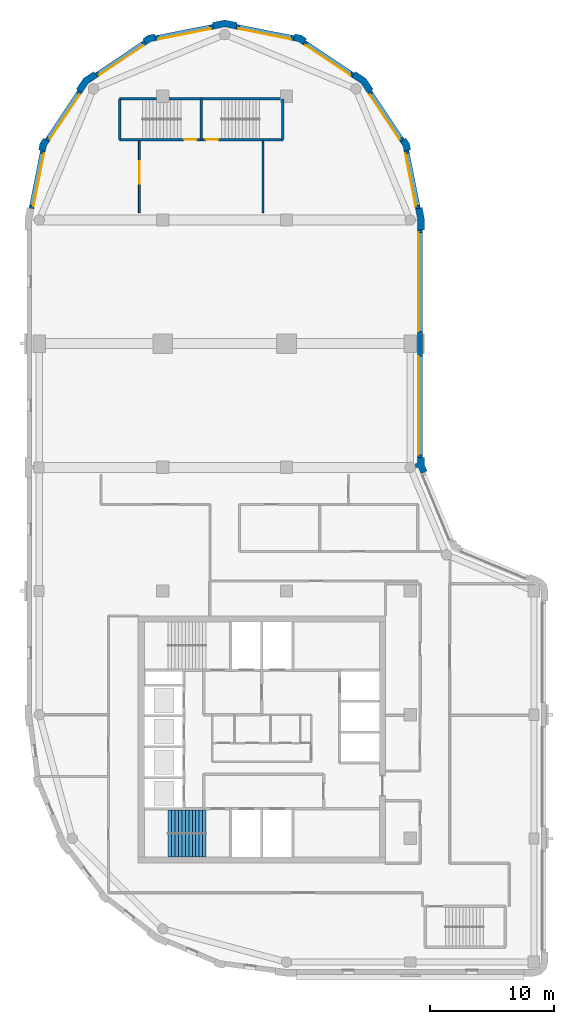
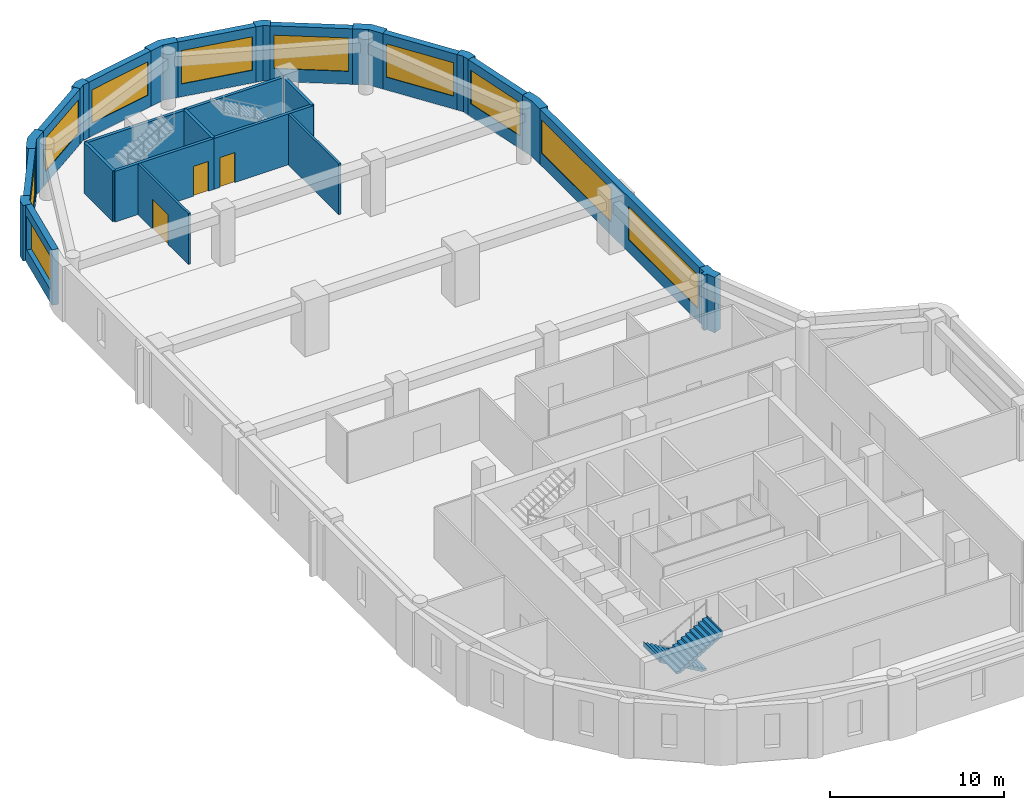
# One storey, part 5 of 8: 27 walls, 10 windows, 3 doors, 2 stair flights, 13 openings, 1 element without a shape of its own.
"""IFC4 building model written with IfcOpenShell, lengths in metres."""

from ifc_helpers import new_model, si_unit, direction, frame, frame_2d, origin, place, context, subcontext, project, spatial, polyline, rectangle, outline, extrude, material, layer, layer_set, type_object, element, fill, aggregate, save


model = new_model("IFC4")

# Units and contexts
model_context = context("Model", 3, precision=1e-05, world=origin(), true_north=direction((0.0, 1.0)))
body_context = subcontext(model_context, "Body", "Model", "MODEL_VIEW")
ifc_project = project(units=[si_unit("LENGTHUNIT", "METRE"), si_unit("AREAUNIT", "SQUARE_METRE"), si_unit("VOLUMEUNIT", "CUBIC_METRE"), si_unit("PLANEANGLEUNIT", "RADIAN"), si_unit("MASSUNIT", "GRAM", prefix="KILO")], contexts=[model_context])

# Site, building, storey
site_placement = place(None, origin())
site = spatial("IfcSite", under=ifc_project, at=site_placement, CompositionType="ELEMENT")
building_placement = place(site_placement, origin())
building = spatial("IfcBuilding", under=site, at=building_placement, Name="Qaws Garden Tower", CompositionType="ELEMENT")
storey_placement = place(building_placement, frame((0.0, 0.0, 313.800048828125)))
storey = spatial("IfcBuildingStorey", under=building, at=storey_placement, Name="L76", CompositionType="ELEMENT", Elevation=313.800048828125)

# Wall, openings, windows
ifc_material_1 = material(Name="Clay facing brick masonry", Category="masonry")
ifc_layer_1 = layer(ifc_material_1, 0.39990234375)
ifc_layer_set_1 = layer_set([ifc_layer_1], Name="Clay facing brick masonry")
wall_type_1 = type_object("IfcWallType", Name="Brick infill wall 400", PredefinedType="SOLIDWALL", material=ifc_layer_set_1)
wall_1_placement = place(storey_placement, frame((30.800048828125, 40.800048828125, 0.0), z_axis=(0.0, 0.0, 1.0), x_axis=(0.0, 1.0, 0.0)))
wall_1 = element("IfcWall", 1, at=wall_1_placement, inside=storey, type_object=wall_type_1, Name="E-L76-infill-07", PredefinedType="SOLIDWALL", context=body_context, shape_type="SweptSolid", body=[
    extrude(rectangle(XDim=18.39990234375, YDim=0.39990234375, at=frame_2d((9.199951171875, 0.0))), origin(), (0.0, 0.0, 1.0), 3.89990234375),
])
opening_1_placement = place(wall_1_placement, frame((0.199951171875, 0.0, 0.89990234375)))
opening_1 = element("IfcOpeningElement", 2, at=opening_1_placement, cuts=wall_1, Name="Opening W01", PredefinedType="OPENING", context=body_context, shape_type="SweptSolid", body=[
    extrude(rectangle(XDim=8.0, YDim=2.35009765625, at=frame_2d((4.0, 1.175048828125))), frame((0.0, 0.2099609375, 0.0), z_axis=(0.0, -1.0, 0.0), x_axis=(1.0, 0.0, 0.0)), (0.0, 0.0, 1.0), 0.419921875),
])
opening_2_placement = place(wall_1_placement, frame((10.199951171875, 0.0, 0.89990234375)))
opening_2 = element("IfcOpeningElement", 3, at=opening_2_placement, cuts=wall_1, Name="Opening W01", PredefinedType="OPENING", context=body_context, shape_type="SweptSolid", body=[
    extrude(rectangle(XDim=8.0, YDim=2.35009765625, at=frame_2d((4.0, 1.175048828125))), frame((0.0, 0.2099609375, 0.0), z_axis=(0.0, -1.0, 0.0), x_axis=(1.0, 0.0, 0.0)), (0.0, 0.0, 1.0), 0.419921875),
])
ifc_material_2 = material(Name="Aluminium framed window, clear glazing", Category="aluminium")
window_type_1 = type_object("IfcWindowType", Name="Ribbon window 8000 x 2350", PartitioningType="DOUBLE_PANEL_VERTICAL", PredefinedType="WINDOW", material=ifc_material_2)
window_1_placement = place(opening_1_placement, origin())
window_1 = element("IfcWindow", 4, at=window_1_placement, inside=storey, type_object=window_type_1, Name="E-L76-window-07-0", OverallHeight=2.35009765625, OverallWidth=8.0, PartitioningType="SINGLE_PANEL", PredefinedType="WINDOW", context=body_context, shape_type="SweptSolid", body=[
    extrude(rectangle(XDim=8.0, YDim=2.35009765625, at=frame_2d((4.0, 1.175048828125))), frame((0.0, 0.159912109375, 0.0), z_axis=(0.0, -1.0, 0.0), x_axis=(1.0, 0.0, 0.0)), (0.0, 0.0, 1.0), 0.06005859375),
])
fill(opening_1, window_1)
window_2_placement = place(opening_2_placement, origin())
window_2 = element("IfcWindow", 5, at=window_2_placement, inside=storey, type_object=window_type_1, Name="E-L76-window-08-0", OverallHeight=2.35009765625, OverallWidth=8.0, PartitioningType="SINGLE_PANEL", PredefinedType="WINDOW", context=body_context, shape_type="SweptSolid", body=[
    extrude(rectangle(XDim=8.0, YDim=2.35009765625, at=frame_2d((4.0, 1.175048828125))), frame((0.0, 0.159912109375, 0.0), z_axis=(0.0, -1.0, 0.0), x_axis=(1.0, 0.0, 0.0)), (0.0, 0.0, 1.0), 0.06005859375),
])
fill(opening_2, window_2)

# Wall, opening, window
wall_2_placement = place(storey_placement, frame((30.628662109375, 60.940673828125, 0.0), z_axis=(0.0, 0.0, 1.0), x_axis=(-0.195098533057, 0.98078364709, 0.0)))
wall_2 = element("IfcWall", 6, at=wall_2_placement, inside=storey, type_object=wall_type_1, Name="E-L76-infill-09", PredefinedType="SOLIDWALL", context=body_context, shape_type="SweptSolid", body=[
    extrude(rectangle(XDim=4.752685546875, YDim=0.39990234375, at=frame_2d((2.37646484375, 0.0))), origin(), (0.0, 0.0, 1.0), 3.89990234375),
])
opening_3_placement = place(wall_2_placement, frame((0.226318359375, 0.0, 0.89990234375)))
opening_3 = element("IfcOpeningElement", 7, at=opening_3_placement, cuts=wall_2, Name="Opening W06", PredefinedType="OPENING", context=body_context, shape_type="SweptSolid", body=[
    extrude(rectangle(XDim=4.300048828125, YDim=2.35009765625, at=frame_2d((2.14990234375, 1.175048828125))), frame((0.0, 0.2099609375, 0.0), z_axis=(0.0, -1.0, 0.0), x_axis=(1.0, 0.0, 0.0)), (0.0, 0.0, 1.0), 0.419921875),
])
ifc_material_3 = material(Name="Aluminium framed window, clear glazing", Category="aluminium")
window_type_2 = type_object("IfcWindowType", Name="Ribbon window 4300 x 2350", PartitioningType="DOUBLE_PANEL_VERTICAL", PredefinedType="WINDOW", material=ifc_material_3)
window_3_placement = place(opening_3_placement, origin())
window_3 = element("IfcWindow", 8, at=window_3_placement, inside=storey, type_object=window_type_2, Name="E-L76-window-09-0", OverallHeight=2.35009765625, OverallWidth=4.300048828125, PartitioningType="SINGLE_PANEL", PredefinedType="WINDOW", context=body_context, shape_type="SweptSolid", body=[
    extrude(rectangle(XDim=4.300048828125, YDim=2.35009765625, at=frame_2d((2.14990234375, 1.175048828125))), frame((0.0, 0.159912109375, 0.0), z_axis=(0.0, -1.0, 0.0), x_axis=(1.0, 0.0, 0.0)), (0.0, 0.0, 1.0), 0.06005859375),
])
fill(opening_3, window_3)

wall_3_placement = place(storey_placement, frame((29.356689453125, 66.43408203125, 0.0), z_axis=(0.0, 0.0, 1.0), x_axis=(-0.555541552266, 0.831488775454, 0.0)))
wall_3 = element("IfcWall", 9, at=wall_3_placement, inside=storey, type_object=wall_type_1, Name="E-L76-infill-10", PredefinedType="SOLIDWALL", context=body_context, shape_type="SweptSolid", body=[
    extrude(rectangle(XDim=4.752685546875, YDim=0.39990234375, at=frame_2d((2.37646484375, 0.0))), origin(), (0.0, 0.0, 1.0), 3.89990234375),
])
opening_4_placement = place(wall_3_placement, frame((0.226318359375, 0.0, 0.89990234375)))
opening_4 = element("IfcOpeningElement", 10, at=opening_4_placement, cuts=wall_3, Name="Opening W06", PredefinedType="OPENING", context=body_context, shape_type="SweptSolid", body=[
    extrude(rectangle(XDim=4.300048828125, YDim=2.35009765625, at=frame_2d((2.14990234375, 1.175048828125))), frame((0.0, 0.2099609375, 0.0), z_axis=(0.0, -1.0, 0.0), x_axis=(1.0, 0.0, 0.0)), (0.0, 0.0, 1.0), 0.419921875),
])
window_4_placement = place(opening_4_placement, origin())
window_4 = element("IfcWindow", 11, at=window_4_placement, inside=storey, type_object=window_type_2, Name="E-L76-window-10-0", OverallHeight=2.35009765625, OverallWidth=4.300048828125, PartitioningType="SINGLE_PANEL", PredefinedType="WINDOW", context=body_context, shape_type="SweptSolid", body=[
    extrude(rectangle(XDim=4.300048828125, YDim=2.35009765625, at=frame_2d((2.14990234375, 1.175048828125))), frame((0.0, 0.159912109375, 0.0), z_axis=(0.0, -1.0, 0.0), x_axis=(1.0, 0.0, 0.0)), (0.0, 0.0, 1.0), 0.06005859375),
])
fill(opening_4, window_4)

wall_4_placement = place(storey_placement, frame((25.385986328125, 71.71630859375, 0.0), z_axis=(0.0, 0.0, 1.0), x_axis=(-0.831488775454, 0.555541552266, 0.0)))
wall_4 = element("IfcWall", 12, at=wall_4_placement, inside=storey, type_object=wall_type_1, Name="E-L76-infill-11", PredefinedType="SOLIDWALL", context=body_context, shape_type="SweptSolid", body=[
    extrude(rectangle(XDim=4.752685546875, YDim=0.39990234375, at=frame_2d((2.37646484375, 0.0))), origin(), (0.0, 0.0, 1.0), 3.89990234375),
])
opening_5_placement = place(wall_4_placement, frame((0.226318359375, 0.0, 0.89990234375)))
opening_5 = element("IfcOpeningElement", 13, at=opening_5_placement, cuts=wall_4, Name="Opening W06", PredefinedType="OPENING", context=body_context, shape_type="SweptSolid", body=[
    extrude(rectangle(XDim=4.300048828125, YDim=2.35009765625, at=frame_2d((2.14990234375, 1.175048828125))), frame((0.0, 0.2099609375, 0.0), z_axis=(0.0, -1.0, 0.0), x_axis=(1.0, 0.0, 0.0)), (0.0, 0.0, 1.0), 0.419921875),
])
window_5_placement = place(opening_5_placement, origin())
window_5 = element("IfcWindow", 14, at=window_5_placement, inside=storey, type_object=window_type_2, Name="E-L76-window-11-0", OverallHeight=2.35009765625, OverallWidth=4.300048828125, PartitioningType="SINGLE_PANEL", PredefinedType="WINDOW", context=body_context, shape_type="SweptSolid", body=[
    extrude(rectangle(XDim=4.300048828125, YDim=2.35009765625, at=frame_2d((2.14990234375, 1.175048828125))), frame((0.0, 0.159912109375, 0.0), z_axis=(0.0, -1.0, 0.0), x_axis=(1.0, 0.0, 0.0)), (0.0, 0.0, 1.0), 0.06005859375),
])
fill(opening_5, window_5)

wall_5_placement = place(storey_placement, frame((20.60205078125, 74.701416015625, 0.0), z_axis=(0.0, 0.0, 1.0), x_axis=(-0.98078364709, 0.195098533057, 0.0)))
wall_5 = element("IfcWall", 15, at=wall_5_placement, inside=storey, type_object=wall_type_1, Name="E-L76-infill-12", PredefinedType="SOLIDWALL", context=body_context, shape_type="SweptSolid", body=[
    extrude(rectangle(XDim=4.752685546875, YDim=0.39990234375, at=frame_2d((2.37646484375, 0.0))), origin(), (0.0, 0.0, 1.0), 3.89990234375),
])
opening_6_placement = place(wall_5_placement, frame((0.226318359375, 0.0, 0.89990234375)))
opening_6 = element("IfcOpeningElement", 16, at=opening_6_placement, cuts=wall_5, Name="Opening W06", PredefinedType="OPENING", context=body_context, shape_type="SweptSolid", body=[
    extrude(rectangle(XDim=4.300048828125, YDim=2.35009765625, at=frame_2d((2.14990234375, 1.175048828125))), frame((0.0, 0.2099609375, 0.0), z_axis=(0.0, -1.0, 0.0), x_axis=(1.0, 0.0, 0.0)), (0.0, 0.0, 1.0), 0.419921875),
])
window_6_placement = place(opening_6_placement, origin())
window_6 = element("IfcWindow", 17, at=window_6_placement, inside=storey, type_object=window_type_2, Name="E-L76-window-12-0", OverallHeight=2.35009765625, OverallWidth=4.300048828125, PartitioningType="SINGLE_PANEL", PredefinedType="WINDOW", context=body_context, shape_type="SweptSolid", body=[
    extrude(rectangle(XDim=4.300048828125, YDim=2.35009765625, at=frame_2d((2.14990234375, 1.175048828125))), frame((0.0, 0.159912109375, 0.0), z_axis=(0.0, -1.0, 0.0), x_axis=(1.0, 0.0, 0.0)), (0.0, 0.0, 1.0), 0.06005859375),
])
fill(opening_6, window_6)

wall_6_placement = place(storey_placement, frame((14.059326171875, 75.628662109375, 0.0), z_axis=(0.0, 0.0, 1.0), x_axis=(-0.98078364709, -0.195098533057, 0.0)))
wall_6 = element("IfcWall", 18, at=wall_6_placement, inside=storey, type_object=wall_type_1, Name="E-L76-infill-13", PredefinedType="SOLIDWALL", context=body_context, shape_type="SweptSolid", body=[
    extrude(rectangle(XDim=4.752685546875, YDim=0.39990234375, at=frame_2d((2.37646484375, 0.0))), origin(), (0.0, 0.0, 1.0), 3.89990234375),
])
opening_7_placement = place(wall_6_placement, frame((0.226318359375, 0.0, 0.89990234375)))
opening_7 = element("IfcOpeningElement", 19, at=opening_7_placement, cuts=wall_6, Name="Opening W06", PredefinedType="OPENING", context=body_context, shape_type="SweptSolid", body=[
    extrude(rectangle(XDim=4.300048828125, YDim=2.35009765625, at=frame_2d((2.14990234375, 1.175048828125))), frame((0.0, 0.2099609375, 0.0), z_axis=(0.0, -1.0, 0.0), x_axis=(1.0, 0.0, 0.0)), (0.0, 0.0, 1.0), 0.419921875),
])
window_7_placement = place(opening_7_placement, origin())
window_7 = element("IfcWindow", 20, at=window_7_placement, inside=storey, type_object=window_type_2, Name="E-L76-window-13-0", OverallHeight=2.35009765625, OverallWidth=4.300048828125, PartitioningType="SINGLE_PANEL", PredefinedType="WINDOW", context=body_context, shape_type="SweptSolid", body=[
    extrude(rectangle(XDim=4.300048828125, YDim=2.35009765625, at=frame_2d((2.14990234375, 1.175048828125))), frame((0.0, 0.159912109375, 0.0), z_axis=(0.0, -1.0, 0.0), x_axis=(1.0, 0.0, 0.0)), (0.0, 0.0, 1.0), 0.06005859375),
])
fill(opening_7, window_7)

wall_7_placement = place(storey_placement, frame((8.56591796875, 74.356689453125, 0.0), z_axis=(0.0, 0.0, 1.0), x_axis=(-0.831488775454, -0.555541552266, 0.0)))
wall_7 = element("IfcWall", 21, at=wall_7_placement, inside=storey, type_object=wall_type_1, Name="E-L76-infill-14", PredefinedType="SOLIDWALL", context=body_context, shape_type="SweptSolid", body=[
    extrude(rectangle(XDim=4.752685546875, YDim=0.39990234375, at=frame_2d((2.37646484375, 0.0))), origin(), (0.0, 0.0, 1.0), 3.89990234375),
])
opening_8_placement = place(wall_7_placement, frame((0.226318359375, 0.0, 0.89990234375)))
opening_8 = element("IfcOpeningElement", 22, at=opening_8_placement, cuts=wall_7, Name="Opening W06", PredefinedType="OPENING", context=body_context, shape_type="SweptSolid", body=[
    extrude(rectangle(XDim=4.300048828125, YDim=2.35009765625, at=frame_2d((2.14990234375, 1.175048828125))), frame((0.0, 0.2099609375, 0.0), z_axis=(0.0, -1.0, 0.0), x_axis=(1.0, 0.0, 0.0)), (0.0, 0.0, 1.0), 0.419921875),
])
window_8_placement = place(opening_8_placement, origin())
window_8 = element("IfcWindow", 23, at=window_8_placement, inside=storey, type_object=window_type_2, Name="E-L76-window-14-0", OverallHeight=2.35009765625, OverallWidth=4.300048828125, PartitioningType="SINGLE_PANEL", PredefinedType="WINDOW", context=body_context, shape_type="SweptSolid", body=[
    extrude(rectangle(XDim=4.300048828125, YDim=2.35009765625, at=frame_2d((2.14990234375, 1.175048828125))), frame((0.0, 0.159912109375, 0.0), z_axis=(0.0, -1.0, 0.0), x_axis=(1.0, 0.0, 0.0)), (0.0, 0.0, 1.0), 0.06005859375),
])
fill(opening_8, window_8)

wall_8_placement = place(storey_placement, frame((3.28369140625, 70.385986328125, 0.0), z_axis=(0.0, 0.0, 1.0), x_axis=(-0.555541552266, -0.831488775454, 0.0)))
wall_8 = element("IfcWall", 24, at=wall_8_placement, inside=storey, type_object=wall_type_1, Name="E-L76-infill-15", PredefinedType="SOLIDWALL", context=body_context, shape_type="SweptSolid", body=[
    extrude(rectangle(XDim=4.752685546875, YDim=0.39990234375, at=frame_2d((2.37646484375, 0.0))), origin(), (0.0, 0.0, 1.0), 3.89990234375),
])
opening_9_placement = place(wall_8_placement, frame((0.226318359375, 0.0, 0.89990234375)))
opening_9 = element("IfcOpeningElement", 25, at=opening_9_placement, cuts=wall_8, Name="Opening W06", PredefinedType="OPENING", context=body_context, shape_type="SweptSolid", body=[
    extrude(rectangle(XDim=4.300048828125, YDim=2.35009765625, at=frame_2d((2.14990234375, 1.175048828125))), frame((0.0, 0.2099609375, 0.0), z_axis=(0.0, -1.0, 0.0), x_axis=(1.0, 0.0, 0.0)), (0.0, 0.0, 1.0), 0.419921875),
])
window_9_placement = place(opening_9_placement, origin())
window_9 = element("IfcWindow", 26, at=window_9_placement, inside=storey, type_object=window_type_2, Name="E-L76-window-15-0", OverallHeight=2.35009765625, OverallWidth=4.300048828125, PartitioningType="SINGLE_PANEL", PredefinedType="WINDOW", context=body_context, shape_type="SweptSolid", body=[
    extrude(rectangle(XDim=4.300048828125, YDim=2.35009765625, at=frame_2d((2.14990234375, 1.175048828125))), frame((0.0, 0.159912109375, 0.0), z_axis=(0.0, -1.0, 0.0), x_axis=(1.0, 0.0, 0.0)), (0.0, 0.0, 1.0), 0.06005859375),
])
fill(opening_9, window_9)

wall_9_placement = place(storey_placement, frame((0.298583984375, 65.60205078125, 0.0), z_axis=(0.0, 0.0, 1.0), x_axis=(-0.195098533057, -0.98078364709, 0.0)))
wall_9 = element("IfcWall", 27, at=wall_9_placement, inside=storey, type_object=wall_type_1, Name="E-L76-infill-16", PredefinedType="SOLIDWALL", context=body_context, shape_type="SweptSolid", body=[
    extrude(rectangle(XDim=4.752685546875, YDim=0.39990234375, at=frame_2d((2.37646484375, 0.0))), origin(), (0.0, 0.0, 1.0), 3.89990234375),
])
opening_10_placement = place(wall_9_placement, frame((0.226318359375, 0.0, 0.89990234375)))
opening_10 = element("IfcOpeningElement", 28, at=opening_10_placement, cuts=wall_9, Name="Opening W06", PredefinedType="OPENING", context=body_context, shape_type="SweptSolid", body=[
    extrude(rectangle(XDim=4.300048828125, YDim=2.35009765625, at=frame_2d((2.14990234375, 1.175048828125))), frame((0.0, 0.2099609375, 0.0), z_axis=(0.0, -1.0, 0.0), x_axis=(1.0, 0.0, 0.0)), (0.0, 0.0, 1.0), 0.419921875),
])
window_10_placement = place(opening_10_placement, origin())
window_10 = element("IfcWindow", 29, at=window_10_placement, inside=storey, type_object=window_type_2, Name="E-L76-window-16-0", OverallHeight=2.35009765625, OverallWidth=4.300048828125, PartitioningType="SINGLE_PANEL", PredefinedType="WINDOW", context=body_context, shape_type="SweptSolid", body=[
    extrude(rectangle(XDim=4.300048828125, YDim=2.35009765625, at=frame_2d((2.14990234375, 1.175048828125))), frame((0.0, 0.159912109375, 0.0), z_axis=(0.0, -1.0, 0.0), x_axis=(1.0, 0.0, 0.0)), (0.0, 0.0, 1.0), 0.06005859375),
])
fill(opening_10, window_10)

# Walls
ifc_material_4 = material(Name="Clay facing brick masonry", Category="masonry")
ifc_layer_2 = layer(ifc_material_4, 0.550048828125)
ifc_layer_set_2 = layer_set([ifc_layer_2], Name="Clay facing brick masonry")
wall_type_2 = type_object("IfcWallType", Name="Brick kink pier 550 x 600", PredefinedType="SOLIDWALL", material=ifc_layer_set_2)
placement = place(storey_placement, origin())
element("IfcWall", 30, at=placement, inside=storey, type_object=wall_type_2, Name="E-L76-pier-10", PredefinedType="SOLIDWALL", context=body_context, shape_type="SweptSolid", body=[
    extrude(outline(polyline([(29.8974609375, 65.64111328125), (30.044677734375, 65.67041015625), (29.94140625, 66.18896484375), (29.647705078125, 66.628662109375), (29.52294921875, 66.545166015625), (29.1904296875, 66.322998046875), (29.42333984375, 65.974365234375), (29.505126953125, 65.56298828125), (29.8974609375, 65.64111328125)])), origin(), (0.0, 0.0, 1.0), 3.89990234375),
])
element("IfcWall", 31, at=placement, inside=storey, type_object=wall_type_2, Name="E-L76-pier-12", PredefinedType="SOLIDWALL", context=body_context, shape_type="SweptSolid", body=[
    extrude(outline(polyline([(21.545166015625, 74.52294921875), (21.628662109375, 74.647705078125), (21.18896484375, 74.94140625), (20.67041015625, 75.044677734375), (20.64111328125, 74.8974609375), (20.56298828125, 74.505126953125), (20.974365234375, 74.42333984375), (21.322998046875, 74.1904296875), (21.545166015625, 74.52294921875)])), origin(), (0.0, 0.0, 1.0), 3.89990234375),
])
element("IfcWall", 32, at=placement, inside=storey, type_object=wall_type_2, Name="E-L76-pier-14", PredefinedType="SOLIDWALL", context=body_context, shape_type="SweptSolid", body=[
    extrude(outline(polyline([(9.35888671875, 74.8974609375), (9.32958984375, 75.044677734375), (8.81103515625, 74.94140625), (8.371337890625, 74.647705078125), (8.454833984375, 74.52294921875), (8.677001953125, 74.1904296875), (9.025634765625, 74.42333984375), (9.43701171875, 74.505126953125), (9.35888671875, 74.8974609375)])), origin(), (0.0, 0.0, 1.0), 3.89990234375),
])
element("IfcWall", 33, at=placement, inside=storey, type_object=wall_type_2, Name="E-L76-pier-16", PredefinedType="SOLIDWALL", context=body_context, shape_type="SweptSolid", body=[
    extrude(outline(polyline([(0.47705078125, 66.545166015625), (0.352294921875, 66.628662109375), (0.05859375, 66.18896484375), (-0.044677734375, 65.67041015625), (0.1025390625, 65.64111328125), (0.494873046875, 65.56298828125), (0.57666015625, 65.974365234375), (0.8095703125, 66.322998046875), (0.47705078125, 66.545166015625)])), origin(), (0.0, 0.0, 1.0), 3.89990234375),
])
ifc_material_5 = material(Name="Clay facing brick masonry", Category="masonry")
ifc_layer_3 = layer(ifc_material_5, 0.550048828125)
ifc_layer_set_3 = layer_set([ifc_layer_3], Name="Clay facing brick masonry")
wall_type_3 = type_object("IfcWallType", Name="Brick pier 550 x 1600", PredefinedType="SOLIDWALL", material=ifc_layer_set_3)
element("IfcWall", 34, at=placement, inside=storey, type_object=wall_type_3, Name="E-L76-pier-07", PredefinedType="SOLIDWALL", context=body_context, shape_type="SweptSolid", body=[
    extrude(outline(polyline([(30.6201171875, 39.995361328125), (30.6201171875, 40.071044921875), (30.860595703125, 39.490478515625), (31.22998046875, 39.6435546875), (31.36865234375, 39.700927734375), (31.14990234375, 40.228759765625), (31.14990234375, 40.800048828125), (31.0, 40.800048828125), (30.60009765625, 40.800048828125), (30.60009765625, 40.29541015625), (30.425048828125, 40.29541015625), (30.425048828125, 39.995361328125), (30.6201171875, 39.995361328125)])), origin(), (0.0, 0.0, 1.0), 3.89990234375),
])
element("IfcWall", 35, at=placement, inside=storey, type_object=wall_type_3, Name="E-L76-pier-09", PredefinedType="SOLIDWALL", context=body_context, shape_type="SweptSolid", body=[
    extrude(outline(polyline([(31.0, 59.199951171875), (31.14990234375, 59.199951171875), (31.14990234375, 60.11328125), (30.971923828125, 61.009033203125), (30.82470703125, 60.979736328125), (30.432373046875, 60.901611328125), (30.60009765625, 60.05908203125), (30.60009765625, 59.199951171875), (31.0, 59.199951171875)])), origin(), (0.0, 0.0, 1.0), 3.89990234375),
])
element("IfcWall", 36, at=placement, inside=storey, type_object=wall_type_3, Name="E-L76-pier-11", PredefinedType="SOLIDWALL", context=body_context, shape_type="SweptSolid", body=[
    extrude(outline(polyline([(26.882568359375, 70.4970703125), (27.00732421875, 70.580322265625), (26.435791015625, 71.435791015625), (25.580322265625, 72.00732421875), (25.4970703125, 71.882568359375), (25.274658203125, 71.550048828125), (26.0390625, 71.0390625), (26.550048828125, 70.274658203125), (26.882568359375, 70.4970703125)])), origin(), (0.0, 0.0, 1.0), 3.89990234375),
])
element("IfcWall", 37, at=placement, inside=storey, type_object=wall_type_3, Name="E-L76-pier-13", PredefinedType="SOLIDWALL", context=body_context, shape_type="SweptSolid", body=[
    extrude(outline(polyline([(15.979736328125, 75.82470703125), (16.009033203125, 75.971923828125), (15.0, 76.172607421875), (13.990966796875, 75.971923828125), (14.020263671875, 75.82470703125), (14.098388671875, 75.432373046875), (15.0, 75.61181640625), (15.901611328125, 75.432373046875), (15.979736328125, 75.82470703125)])), origin(), (0.0, 0.0, 1.0), 3.89990234375),
])
element("IfcWall", 38, at=placement, inside=storey, type_object=wall_type_3, Name="E-L76-pier-15", PredefinedType="SOLIDWALL", context=body_context, shape_type="SweptSolid", body=[
    extrude(outline(polyline([(4.5029296875, 71.882568359375), (4.419677734375, 72.00732421875), (3.564208984375, 71.435791015625), (2.99267578125, 70.580322265625), (3.117431640625, 70.4970703125), (3.449951171875, 70.274658203125), (3.9609375, 71.0390625), (4.725341796875, 71.550048828125), (4.5029296875, 71.882568359375)])), origin(), (0.0, 0.0, 1.0), 3.89990234375),
])

# Wall, opening, door
ifc_material_6 = material(Name="Concrete C60", Category="concrete")
ifc_layer_4 = layer(ifc_material_6, 0.199951171875)
ifc_layer_set_4 = layer_set([ifc_layer_4], Name="Concrete C60")
wall_type_4 = type_object("IfcWallType", Name="Core shaft wall 200 C60", PredefinedType="SHEAR", material=ifc_layer_set_4)
wall_19_placement = place(storey_placement, frame((6.5, 66.5, 0.0), z_axis=(0.0, 0.0, 1.0), x_axis=(1.0, 0.0, 0.0)))
wall_19 = element("IfcWall", 39, at=wall_19_placement, inside=storey, type_object=wall_type_4, Name="Shaft wall", PredefinedType="SHEAR", context=body_context, shape_type="SweptSolid", body=[
    extrude(rectangle(XDim=6.60009765625, YDim=0.199951171875, at=frame_2d((3.300048828125, 0.0))), origin(), (0.0, 0.0, 1.0), 3.579833984375),
])
opening_11_placement = place(wall_19_placement, frame((5.22509765625, 0.0, 0.0)))
opening_11 = element("IfcOpeningElement", 40, at=opening_11_placement, cuts=wall_19, Name="Opening SD13", PredefinedType="OPENING", context=body_context, shape_type="SweptSolid", body=[
    extrude(rectangle(XDim=1.0, YDim=2.10009765625, at=frame_2d((0.5, 1.050048828125))), frame((0.0, 0.10986328125, 0.0), z_axis=(0.0, -1.0, 0.0), x_axis=(1.0, 0.0, 0.0)), (0.0, 0.0, 1.0), 0.219970703125),
])
ifc_material_7 = material(Name="Steel S235", Category="steel")
door_type_1 = type_object("IfcDoorType", Name="Stair door 1000x2100", OperationType="SINGLE_SWING_RIGHT", PredefinedType="DOOR", material=ifc_material_7)
door_1_placement = place(opening_11_placement, origin())
door_1 = element("IfcDoor", 41, at=door_1_placement, inside=storey, type_object=door_type_1, Name="Stair 6 door", OperationType="SINGLE_SWING_RIGHT", OverallHeight=2.10009765625, OverallWidth=1.0, PredefinedType="DOOR", context=body_context, shape_type="SweptSolid", body=[
    extrude(rectangle(XDim=1.0, YDim=2.10009765625, at=frame_2d((0.5, 1.050048828125))), frame((0.0, 0.02490234375, 0.0), z_axis=(0.0, -1.0, 0.0), x_axis=(1.0, 0.0, 0.0)), (0.0, 0.0, 1.0), 0.050048828125),
])
fill(opening_11, door_1)

wall_20_placement = place(storey_placement, frame((13.10009765625, 66.5, 0.0), z_axis=(0.0, 0.0, 1.0), x_axis=(1.0, 0.0, 0.0)))
wall_20 = element("IfcWall", 42, at=wall_20_placement, inside=storey, type_object=wall_type_4, Name="Shaft wall", PredefinedType="SHEAR", context=body_context, shape_type="SweptSolid", body=[
    extrude(rectangle(XDim=6.599853515625, YDim=0.199951171875, at=frame_2d((3.2998046875, 0.0))), origin(), (0.0, 0.0, 1.0), 3.579833984375),
])
opening_12_placement = place(wall_20_placement, frame((0.375, 0.0, 0.0)))
opening_12 = element("IfcOpeningElement", 43, at=opening_12_placement, cuts=wall_20, Name="Opening SD14", PredefinedType="OPENING", context=body_context, shape_type="SweptSolid", body=[
    extrude(rectangle(XDim=1.0, YDim=2.10009765625, at=frame_2d((0.5, 1.050048828125))), frame((0.0, 0.10986328125, 0.0), z_axis=(0.0, -1.0, 0.0), x_axis=(1.0, 0.0, 0.0)), (0.0, 0.0, 1.0), 0.219970703125),
])
door_2_placement = place(opening_12_placement, origin())
door_2 = element("IfcDoor", 44, at=door_2_placement, inside=storey, type_object=door_type_1, Name="Stair 7 door", OperationType="SINGLE_SWING_LEFT", OverallHeight=2.10009765625, OverallWidth=1.0, PredefinedType="DOOR", context=body_context, shape_type="SweptSolid", body=[
    extrude(rectangle(XDim=1.0, YDim=2.10009765625, at=frame_2d((0.5, 1.050048828125))), frame((0.0, 0.02490234375, 0.0), z_axis=(0.0, -1.0, 0.0), x_axis=(1.0, 0.0, 0.0)), (0.0, 0.0, 1.0), 0.050048828125),
])
fill(opening_12, door_2)

# Walls
wall_21_placement = place(storey_placement, frame((6.5, 69.800048828125, 0.0), z_axis=(0.0, 0.0, 1.0), x_axis=(1.0, 0.0, 0.0)))
element("IfcWall", 45, at=wall_21_placement, inside=storey, type_object=wall_type_4, Name="Shaft wall", PredefinedType="SHEAR", context=body_context, shape_type="SweptSolid", body=[
    extrude(rectangle(XDim=6.60009765625, YDim=0.199951171875, at=frame_2d((3.300048828125, 0.0))), origin(), (0.0, 0.0, 1.0), 3.579833984375),
])
wall_22_placement = place(storey_placement, frame((13.10009765625, 69.800048828125, 0.0), z_axis=(0.0, 0.0, 1.0), x_axis=(1.0, 0.0, 0.0)))
element("IfcWall", 46, at=wall_22_placement, inside=storey, type_object=wall_type_4, Name="Shaft wall", PredefinedType="SHEAR", context=body_context, shape_type="SweptSolid", body=[
    extrude(rectangle(XDim=6.599853515625, YDim=0.199951171875, at=frame_2d((3.2998046875, 0.0))), origin(), (0.0, 0.0, 1.0), 3.579833984375),
])
for number, where, z_axis, x_axis, name in (
    (47, (6.5, 66.5, 0.0), (0.0, 0.0, 1.0), (0.0, 1.0, 0.0), "Shaft wall"),
    (48, (13.10009765625, 66.5, 0.0), (0.0, 0.0, 1.0), (0.0, 1.0, 0.0), "Shaft wall"),
    (49, (19.699951171875, 66.5, 0.0), (0.0, 0.0, 1.0), (0.0, 1.0, 0.0), "Shaft wall"),
):
    element("IfcWall", number, at=place(storey_placement, frame(where, z_axis=z_axis, x_axis=x_axis)), inside=storey, type_object=wall_type_4, Name=name, PredefinedType="SHEAR", context=body_context, shape_type="SweptSolid", body=[
        extrude(rectangle(XDim=3.300048828125, YDim=0.199951171875, at=frame_2d((1.64990234375, 0.0))), origin(), (0.0, 0.0, 1.0), 3.579833984375),
    ])

# Wall, opening, door
ifc_material_8 = material(Name="Gypsum board partition")
ifc_layer_5 = layer(ifc_material_8, 0.14990234375)
ifc_layer_set_5 = layer_set([ifc_layer_5], Name="Gypsum board partition")
wall_type_5 = type_object("IfcWallType", Name="PARTITION 150 EI 60", PredefinedType="PARTITIONING", material=ifc_layer_set_5)
wall_23_placement = place(storey_placement, frame((8.10009765625, 60.60009765625, 0.0), z_axis=(0.0, 0.0, 1.0), x_axis=(0.0, 1.0, 0.0)))
wall_23 = element("IfcWall", 50, at=wall_23_placement, inside=storey, type_object=wall_type_5, Name="O-L76-wall-002", PredefinedType="PARTITIONING", context=body_context, shape_type="SweptSolid", body=[
    extrude(rectangle(XDim=5.7998046875, YDim=0.14990234375, at=frame_2d((2.89990234375, 0.0))), origin(), (0.0, 0.0, 1.0), 3.579833984375),
])
opening_13_placement = place(wall_23_placement, frame((2.35009765625, 0.0, 0.0)))
opening_13 = element("IfcOpeningElement", 51, at=opening_13_placement, cuts=wall_23, Name="Opening C7P03", PredefinedType="OPENING", context=body_context, shape_type="SweptSolid", body=[
    extrude(rectangle(XDim=1.800048828125, YDim=2.10009765625, at=frame_2d((0.89990234375, 1.050048828125))), frame((0.0, 0.0849609375, 0.0), z_axis=(0.0, -1.0, 0.0), x_axis=(1.0, 0.0, 0.0)), (0.0, 0.0, 1.0), 0.169921875),
])
ifc_material_9 = material(Name="Timber door leaf", Category="wood")
door_type_2 = type_object("IfcDoorType", Name="DOUBLE DOOR 1800 X 2100", OperationType="DOUBLE_DOOR_SINGLE_SWING", PredefinedType="DOOR", material=ifc_material_9)
door_3_placement = place(opening_13_placement, origin())
door_3 = element("IfcDoor", 52, at=door_3_placement, inside=storey, type_object=door_type_2, Name="O-L76-door-003", OperationType="DOUBLE_DOOR_SINGLE_SWING", OverallHeight=2.10009765625, OverallWidth=1.800048828125, PredefinedType="DOOR", context=body_context, shape_type="SweptSolid", body=[
    extrude(rectangle(XDim=1.800048828125, YDim=2.10009765625, at=frame_2d((0.89990234375, 1.050048828125))), frame((0.0, 0.02490234375, 0.0), z_axis=(0.0, -1.0, 0.0), x_axis=(1.0, 0.0, 0.0)), (0.0, 0.0, 1.0), 0.050048828125),
])
fill(opening_13, door_3)

# Wall
wall_24_placement = place(storey_placement, frame((18.10009765625, 60.60009765625, 0.0), z_axis=(0.0, 0.0, 1.0), x_axis=(0.0, 1.0, 0.0)))
element("IfcWall", 53, at=wall_24_placement, inside=storey, type_object=wall_type_5, Name="O-L76-wall-005", PredefinedType="PARTITIONING", context=body_context, shape_type="SweptSolid", body=[
    extrude(rectangle(XDim=5.7998046875, YDim=0.14990234375, at=frame_2d((2.89990234375, 0.0))), origin(), (0.0, 0.0, 1.0), 3.579833984375),
])

# Stair, stair flights
ifc_material_10 = material(Name="Concrete C40", Category="concrete")
stair_type = type_object("IfcStairType", Name="Exit stair 1500", PredefinedType="HALF_TURN_STAIR", material=ifc_material_10)
stair = element("IfcStair", 54, at=placement, inside=storey, type_object=stair_type, Name="Stair 1", PredefinedType="HALF_TURN_STAIR")
ifc_material_11 = material(Name="Concrete C40", Category="concrete")
stair_flight_type = type_object("IfcStairFlightType", Name="Stair flight 1500", PredefinedType="STRAIGHT", material=ifc_material_11)
stair_flight_1_placement = place(storey_placement, frame((13.5, 11.35009765625, 0.0), z_axis=(0.0, 0.0, 1.0), x_axis=(-1.0, 0.0, 0.0)))
stair_flight_1 = element("IfcStairFlight", 55, at=stair_flight_1_placement, type_object=stair_flight_type, Name="ST1 flight 1", NumberOfRisers=12, NumberOfTreads=11, PredefinedType="STRAIGHT", RiserHeight=0.1625, TreadLength=0.28, context=body_context, shape_type="SweptSolid", body=[
    extrude(outline(polyline([(-0.0029296875, 0.0), (-0.0029296875, 0.16259765625), (0.0, 0.16259765625), (0.280029296875, 0.16259765625), (0.280029296875, 0.324951171875), (0.56005859375, 0.324951171875), (0.56005859375, 0.487548828125), (0.840087890625, 0.487548828125), (0.840087890625, 0.64990234375), (1.1201171875, 0.64990234375), (1.1201171875, 0.8125), (1.39990234375, 0.8125), (1.39990234375, 0.97509765625), (1.679931640625, 0.97509765625), (1.679931640625, 1.137451171875), (1.9599609375, 1.137451171875), (1.9599609375, 1.300048828125), (2.239990234375, 1.300048828125), (2.239990234375, 1.46240234375), (2.52001953125, 1.46240234375), (2.52001953125, 1.625), (2.800048828125, 1.625), (2.800048828125, 1.78759765625), (3.080078125, 1.78759765625), (3.080078125, 1.949951171875), (3.0830078125, 1.949951171875), (3.0830078125, 1.6142578125), (3.080078125, 1.6142578125), (0.298583984375, 0.0), (-0.0029296875, 0.0)])), frame((0.0, 0.949951171875, 0.0), z_axis=(0.0, -1.0, 0.0), x_axis=(1.0, 0.0, 0.0)), (0.0, 0.0, 1.0), 1.89990234375),
])
stair_flight_2_placement = place(storey_placement, frame((10.419921875, 9.449951171875, 1.949951171875), z_axis=(0.0, 0.0, 1.0), x_axis=(1.0, 0.0, 0.0)))
stair_flight_2 = element("IfcStairFlight", 56, at=stair_flight_2_placement, type_object=stair_flight_type, Name="ST1 flight 2", NumberOfRisers=12, NumberOfTreads=11, PredefinedType="STRAIGHT", RiserHeight=0.1625, TreadLength=0.28, context=body_context, shape_type="SweptSolid", body=[
    extrude(outline(polyline([(-0.0029296875, 0.0), (-0.0029296875, 0.16259765625), (0.0, 0.16259765625), (0.280029296875, 0.16259765625), (0.280029296875, 0.324951171875), (0.56005859375, 0.324951171875), (0.56005859375, 0.487548828125), (0.840087890625, 0.487548828125), (0.840087890625, 0.64990234375), (1.1201171875, 0.64990234375), (1.1201171875, 0.8125), (1.39990234375, 0.8125), (1.39990234375, 0.97509765625), (1.679931640625, 0.97509765625), (1.679931640625, 1.137451171875), (1.9599609375, 1.137451171875), (1.9599609375, 1.300048828125), (2.239990234375, 1.300048828125), (2.239990234375, 1.46240234375), (2.52001953125, 1.46240234375), (2.52001953125, 1.625), (2.800048828125, 1.625), (2.800048828125, 1.78759765625), (3.080078125, 1.78759765625), (3.080078125, 1.949951171875), (3.0830078125, 1.949951171875), (3.0830078125, 1.6142578125), (3.080078125, 1.6142578125), (0.298583984375, 0.0), (-0.0029296875, 0.0)])), frame((0.0, 0.949951171875, 0.0), z_axis=(0.0, -1.0, 0.0), x_axis=(1.0, 0.0, 0.0)), (0.0, 0.0, 1.0), 1.89990234375),
])
aggregate(stair, [stair_flight_1, stair_flight_2])

save(model, "model.ifc")
